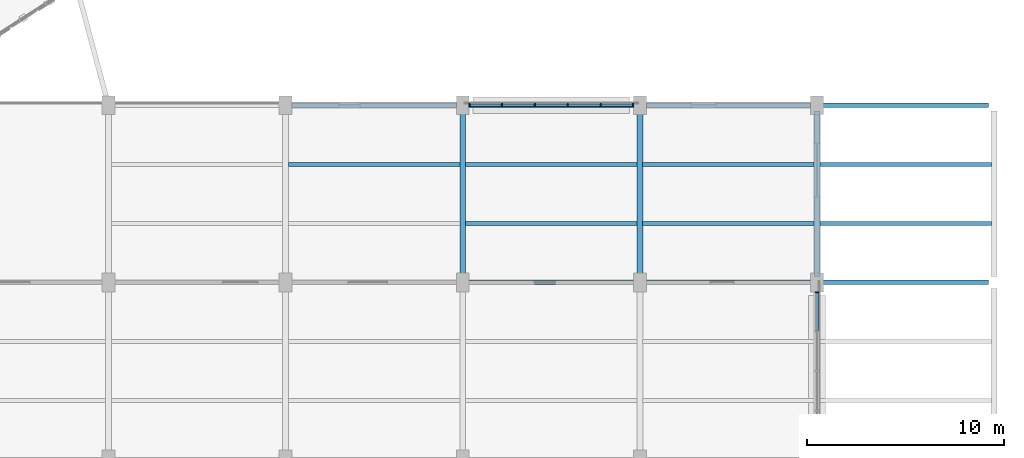
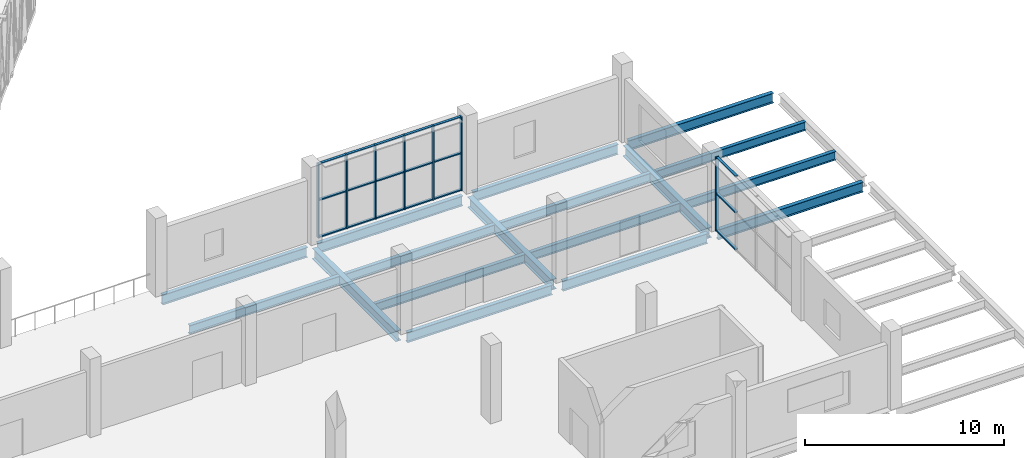
# One storey, part 34 of 152: 25 members, 17 beams, 2 elements without a shape of their own.
"""IFC4 building model written with IfcOpenShell, lengths in metres."""

from ifc_helpers import new_model, si_unit, direction, frame, origin, origin_2d, place, context, subcontext, project, spatial, rectangle, i_section, extrude, material, material_profile, profile_set, type_object, element, aggregate, save


model = new_model("IFC4")

# Units and contexts
model_context = context("Model", 3, precision=1e-05, world=origin(), true_north=direction((0.0, 1.0)))
body_context = subcontext(model_context, "Body", "Model", "MODEL_VIEW")
ifc_project = project(units=[si_unit("LENGTHUNIT", "METRE"), si_unit("AREAUNIT", "SQUARE_METRE"), si_unit("VOLUMEUNIT", "CUBIC_METRE"), si_unit("PLANEANGLEUNIT", "RADIAN"), si_unit("MASSUNIT", "GRAM", prefix="KILO")], contexts=[model_context])

# Site, building, storey
site_placement = place(None, origin())
site = spatial("IfcSite", under=ifc_project, at=site_placement, CompositionType="ELEMENT")
building_placement = place(site_placement, origin())
building = spatial("IfcBuilding", under=site, at=building_placement, Name="Zevraka Park Crest Stadium", CompositionType="ELEMENT")
storey_placement = place(building_placement, frame((0.0, 0.0, 15.0)))
storey = spatial("IfcBuildingStorey", under=building, at=storey_placement, Name="L03", CompositionType="ELEMENT", Elevation=15.0)

# Beams
ifc_material_1 = material(Name="Steel S355", Category="steel")
ifc_material_profile_1 = material_profile(ifc_material_1, i_section(OverallWidth=0.300048828125, OverallDepth=0.64990234375, WebThickness=0.01611328125, FlangeThickness=0.031005859375, at=origin_2d()), Name="HEB 650")
ifc_profile_set_1 = profile_set([ifc_material_profile_1], Name="Steel S355")
beam_type_1 = type_object("IfcBeamType", Name="BG07", PredefinedType="BEAM", material=ifc_profile_set_1)
for number, where, z_axis, x_axis, name in (
    (1, (197.0, 18.300048828125, -0.633056640625), (0.0, 1.0, 0.0), (-1.0, 0.0, 0.0), "Wing Girder BG07 L03-22/CD"),
    (2, (206.0, 18.300048828125, -0.633056640625), (0.0, 1.0, 0.0), (-1.0, 0.0, 0.0), "Wing Girder BG07 L03-23/CD"),
    (3, (215.0, 18.300048828125, -0.633056640625), (0.0, 1.0, 0.0), (-1.0, 0.0, 0.0), "Wing Girder BG07 L03-24/CD"),
):
    element("IfcBeam", number, at=place(storey_placement, frame(where, z_axis=z_axis, x_axis=x_axis)), inside=storey, type_object=beam_type_1, Name=name, PredefinedType="BEAM", context=body_context, shape_type="SweptSolid", body=[
        extrude(i_section(OverallWidth=0.300048828125, OverallDepth=0.64990234375, WebThickness=0.01611328125, FlangeThickness=0.031005859375, at=origin_2d()), origin(), (0.0, 0.0, 1.0), 8.39990234375),
    ])
ifc_material_2 = material(Name="Steel S355", Category="steel")
ifc_material_profile_2 = material_profile(ifc_material_2, i_section(OverallWidth=0.22900390625, OverallDepth=0.612060546875, WebThickness=0.011962890625, FlangeThickness=0.01953125, at=origin_2d()), Name="UKB 610x229x125")
ifc_profile_set_2 = profile_set([ifc_material_profile_2], Name="Steel S355")
beam_type_2 = type_object("IfcBeamType", Name="BG09", PredefinedType="BEAM", material=ifc_profile_set_2)
for number, where, z_axis, x_axis, name in (
    (4, (188.300048828125, 27.0, -0.614013671875), (1.0, 0.0, 0.0), (0.0, 1.0, 0.0), "Wing Girder BG09 L03-2122/D"),
    (5, (197.300048828125, 18.0, -0.614013671875), (1.0, 0.0, 0.0), (0.0, 1.0, 0.0), "Wing Girder BG09 L03-2223/C"),
    (6, (197.300048828125, 27.0, -0.614013671875), (1.0, 0.0, 0.0), (0.0, 1.0, 0.0), "Wing Girder BG09 L03-2223/D"),
    (7, (206.300048828125, 18.0, -0.614013671875), (1.0, 0.0, 0.0), (0.0, 1.0, 0.0), "Wing Girder BG09 L03-2324/C"),
    (8, (206.300048828125, 27.0, -0.614013671875), (1.0, 0.0, 0.0), (0.0, 1.0, 0.0), "Wing Girder BG09 L03-2324/D"),
    (9, (215.300048828125, 18.0, -0.614013671875), (1.0, 0.0, 0.0), (0.0, 1.0, 0.0), "Wing Girder BG09 L03-2425/C"),
    (10, (215.300048828125, 27.0, -0.614013671875), (1.0, 0.0, 0.0), (0.0, 1.0, 0.0), "Wing Girder BG09 L03-2425/D"),
):
    element("IfcBeam", number, at=place(storey_placement, frame(where, z_axis=z_axis, x_axis=x_axis)), inside=storey, type_object=beam_type_2, Name=name, PredefinedType="BEAM", context=body_context, shape_type="SweptSolid", body=[
        extrude(i_section(OverallWidth=0.22900390625, OverallDepth=0.612060546875, WebThickness=0.011962890625, FlangeThickness=0.01953125, at=origin_2d()), origin(), (0.0, 0.0, 1.0), 8.39990234375),
    ])

# Curtain wall, member
ifc_material_3 = material(Name="Anodised architectural aluminium and laminated safety glass", Category="aluminium")
curtain_wall_type = type_object("IfcCurtainWallType", Name="CW30", PredefinedType="NOTDEFINED", material=ifc_material_3)
curtain_wall_1_placement = place(storey_placement, origin())
curtain_wall_1 = element("IfcCurtainWall", 11, at=curtain_wall_1_placement, inside=storey, type_object=curtain_wall_type, Name="Wing Curtain Wall CW30 L03-SE-E3-2", PredefinedType="NOTDEFINED")
ifc_material_4 = material(Name="Anodised architectural aluminium", Category="aluminium")
ifc_material_profile_3 = material_profile(ifc_material_4, rectangle(XDim=0.199951171875, YDim=0.070068359375, at=origin_2d()), Name="ALU MULLION 200x70")
ifc_profile_set_3 = profile_set([ifc_material_profile_3], Name="Anodised architectural aluminium")
member_type_1 = type_object("IfcMemberType", Name="CM03", PredefinedType="MULLION", material=ifc_profile_set_3)
member_1_placement = place(storey_placement, frame((215.0, 17.5, 0.0), z_axis=(0.0, 0.0, 1.0), x_axis=(1.0, 0.0, 0.0)))
member_1 = element("IfcMember", 12, at=member_1_placement, type_object=member_type_1, Name="CW30 mullion 1", PredefinedType="MULLION", context=body_context, shape_type="SweptSolid", body=[
    extrude(rectangle(XDim=0.199951171875, YDim=0.070068359375, at=origin_2d()), origin(), (0.0, 0.0, 1.0), 4.5400390625),
])

# Curtain wall, members
curtain_wall_2_placement = place(storey_placement, origin())
curtain_wall_2 = element("IfcCurtainWall", 13, at=curtain_wall_2_placement, inside=storey, type_object=curtain_wall_type, Name="Wing Curtain Wall CW30 L03-SE-N3-2", PredefinedType="NOTDEFINED")
member_2_placement = place(storey_placement, frame((197.35009765625, 27.0, 0.0), z_axis=(0.0, 0.0, 1.0), x_axis=(0.0, 1.0, 0.0)))
member_2 = element("IfcMember", 14, at=member_2_placement, type_object=member_type_1, Name="CW30 mullion 1", PredefinedType="MULLION", context=body_context, shape_type="SweptSolid", body=[
    extrude(rectangle(XDim=0.199951171875, YDim=0.070068359375, at=origin_2d()), origin(), (0.0, 0.0, 1.0), 4.5400390625),
])
member_3_placement = place(storey_placement, frame((198.989013671875, 27.0, 0.0), z_axis=(0.0, 0.0, 1.0), x_axis=(0.0, 1.0, 0.0)))
member_3 = element("IfcMember", 15, at=member_3_placement, type_object=member_type_1, Name="CW30 mullion 2", PredefinedType="MULLION", context=body_context, shape_type="SweptSolid", body=[
    extrude(rectangle(XDim=0.199951171875, YDim=0.070068359375, at=origin_2d()), origin(), (0.0, 0.0, 1.0), 4.5400390625),
])
member_4_placement = place(storey_placement, frame((200.6630859375, 27.0, 0.0), z_axis=(0.0, 0.0, 1.0), x_axis=(0.0, 1.0, 0.0)))
member_4 = element("IfcMember", 16, at=member_4_placement, type_object=member_type_1, Name="CW30 mullion 3", PredefinedType="MULLION", context=body_context, shape_type="SweptSolid", body=[
    extrude(rectangle(XDim=0.199951171875, YDim=0.070068359375, at=origin_2d()), origin(), (0.0, 0.0, 1.0), 4.5400390625),
])
member_5_placement = place(storey_placement, frame((202.3369140625, 27.0, 0.0), z_axis=(0.0, 0.0, 1.0), x_axis=(0.0, 1.0, 0.0)))
member_5 = element("IfcMember", 17, at=member_5_placement, type_object=member_type_1, Name="CW30 mullion 4", PredefinedType="MULLION", context=body_context, shape_type="SweptSolid", body=[
    extrude(rectangle(XDim=0.199951171875, YDim=0.070068359375, at=origin_2d()), origin(), (0.0, 0.0, 1.0), 4.5400390625),
])
member_6_placement = place(storey_placement, frame((204.010986328125, 27.0, 0.0), z_axis=(0.0, 0.0, 1.0), x_axis=(0.0, 1.0, 0.0)))
member_6 = element("IfcMember", 18, at=member_6_placement, type_object=member_type_1, Name="CW30 mullion 5", PredefinedType="MULLION", context=body_context, shape_type="SweptSolid", body=[
    extrude(rectangle(XDim=0.199951171875, YDim=0.070068359375, at=origin_2d()), origin(), (0.0, 0.0, 1.0), 4.5400390625),
])
member_7_placement = place(storey_placement, frame((205.64990234375, 27.0, 0.0), z_axis=(0.0, 0.0, 1.0), x_axis=(0.0, 1.0, 0.0)))
member_7 = element("IfcMember", 19, at=member_7_placement, type_object=member_type_1, Name="CW30 mullion 6", PredefinedType="MULLION", context=body_context, shape_type="SweptSolid", body=[
    extrude(rectangle(XDim=0.199951171875, YDim=0.070068359375, at=origin_2d()), origin(), (0.0, 0.0, 1.0), 4.5400390625),
])

# Member
ifc_material_5 = material(Name="Anodised architectural aluminium", Category="aluminium")
ifc_material_profile_4 = material_profile(ifc_material_5, rectangle(XDim=0.14990234375, YDim=0.070068359375, at=origin_2d()), Name="ALU TRANSOM 150x70")
ifc_profile_set_4 = profile_set([ifc_material_profile_4], Name="Anodised architectural aluminium")
member_type_2 = type_object("IfcMemberType", Name="CT03", PredefinedType="USERDEFINED", material=ifc_profile_set_4)
member_8_placement = place(storey_placement, frame((215.0, 17.465087890625, 0.034912109375), z_axis=(0.0, -1.0, 0.0), x_axis=(1.0, 0.0, 0.0)))
member_8 = element("IfcMember", 20, at=member_8_placement, type_object=member_type_2, Name="CW30 transom 1.1", ObjectType="TRANSOM", PredefinedType="USERDEFINED", context=body_context, shape_type="SweptSolid", body=[
    extrude(rectangle(XDim=0.14990234375, YDim=0.070068359375, at=origin_2d()), origin(), (0.0, 0.0, 1.0), 1.91259765625),
])

member_9_placement = place(storey_placement, frame((215.0, 17.465087890625, 2.300048828125), z_axis=(0.0, -1.0, 0.0), x_axis=(1.0, 0.0, 0.0)))
member_9 = element("IfcMember", 21, at=member_9_placement, type_object=member_type_2, Name="CW30 transom 1.2", ObjectType="TRANSOM", PredefinedType="USERDEFINED", context=body_context, shape_type="SweptSolid", body=[
    extrude(rectangle(XDim=0.14990234375, YDim=0.070068359375, at=origin_2d()), origin(), (0.0, 0.0, 1.0), 1.91259765625),
])

member_10_placement = place(storey_placement, frame((215.0, 17.465087890625, 4.5048828125), z_axis=(0.0, -1.0, 0.0), x_axis=(1.0, 0.0, 0.0)))
member_10 = element("IfcMember", 22, at=member_10_placement, type_object=member_type_2, Name="CW30 transom 1.3", ObjectType="TRANSOM", PredefinedType="USERDEFINED", context=body_context, shape_type="SweptSolid", body=[
    extrude(rectangle(XDim=0.14990234375, YDim=0.070068359375, at=origin_2d()), origin(), (0.0, 0.0, 1.0), 1.91259765625),
])

aggregate(curtain_wall_1, [member_1, member_8, member_9, member_10])

member_11_placement = place(storey_placement, frame((197.385009765625, 27.0, 0.034912109375), z_axis=(1.0, 0.0, 0.0), x_axis=(0.0, 1.0, 0.0)))
member_11 = element("IfcMember", 23, at=member_11_placement, type_object=member_type_2, Name="CW30 transom 1.1", ObjectType="TRANSOM", PredefinedType="USERDEFINED", context=body_context, shape_type="SweptSolid", body=[
    extrude(rectangle(XDim=0.14990234375, YDim=0.070068359375, at=origin_2d()), origin(), (0.0, 0.0, 1.0), 1.569091796875),
])

member_12_placement = place(storey_placement, frame((197.385009765625, 27.0, 2.300048828125), z_axis=(1.0, 0.0, 0.0), x_axis=(0.0, 1.0, 0.0)))
member_12 = element("IfcMember", 24, at=member_12_placement, type_object=member_type_2, Name="CW30 transom 1.2", ObjectType="TRANSOM", PredefinedType="USERDEFINED", context=body_context, shape_type="SweptSolid", body=[
    extrude(rectangle(XDim=0.14990234375, YDim=0.070068359375, at=origin_2d()), origin(), (0.0, 0.0, 1.0), 1.569091796875),
])

member_13_placement = place(storey_placement, frame((197.385009765625, 27.0, 4.5048828125), z_axis=(1.0, 0.0, 0.0), x_axis=(0.0, 1.0, 0.0)))
member_13 = element("IfcMember", 25, at=member_13_placement, type_object=member_type_2, Name="CW30 transom 1.3", ObjectType="TRANSOM", PredefinedType="USERDEFINED", context=body_context, shape_type="SweptSolid", body=[
    extrude(rectangle(XDim=0.14990234375, YDim=0.070068359375, at=origin_2d()), origin(), (0.0, 0.0, 1.0), 1.569091796875),
])

member_14_placement = place(storey_placement, frame((199.02392578125, 27.0, 0.034912109375), z_axis=(1.0, 0.0, 0.0), x_axis=(0.0, 1.0, 0.0)))
member_14 = element("IfcMember", 26, at=member_14_placement, type_object=member_type_2, Name="CW30 transom 2.1", ObjectType="TRANSOM", PredefinedType="USERDEFINED", context=body_context, shape_type="SweptSolid", body=[
    extrude(rectangle(XDim=0.14990234375, YDim=0.070068359375, at=origin_2d()), origin(), (0.0, 0.0, 1.0), 1.60400390625),
])

member_15_placement = place(storey_placement, frame((199.02392578125, 27.0, 2.300048828125), z_axis=(1.0, 0.0, 0.0), x_axis=(0.0, 1.0, 0.0)))
member_15 = element("IfcMember", 27, at=member_15_placement, type_object=member_type_2, Name="CW30 transom 2.2", ObjectType="TRANSOM", PredefinedType="USERDEFINED", context=body_context, shape_type="SweptSolid", body=[
    extrude(rectangle(XDim=0.14990234375, YDim=0.070068359375, at=origin_2d()), origin(), (0.0, 0.0, 1.0), 1.60400390625),
])

member_16_placement = place(storey_placement, frame((199.02392578125, 27.0, 4.5048828125), z_axis=(1.0, 0.0, 0.0), x_axis=(0.0, 1.0, 0.0)))
member_16 = element("IfcMember", 28, at=member_16_placement, type_object=member_type_2, Name="CW30 transom 2.3", ObjectType="TRANSOM", PredefinedType="USERDEFINED", context=body_context, shape_type="SweptSolid", body=[
    extrude(rectangle(XDim=0.14990234375, YDim=0.070068359375, at=origin_2d()), origin(), (0.0, 0.0, 1.0), 1.60400390625),
])

member_17_placement = place(storey_placement, frame((200.697998046875, 27.0, 0.034912109375), z_axis=(1.0, 0.0, 0.0), x_axis=(0.0, 1.0, 0.0)))
member_17 = element("IfcMember", 29, at=member_17_placement, type_object=member_type_2, Name="CW30 transom 3.1", ObjectType="TRANSOM", PredefinedType="USERDEFINED", context=body_context, shape_type="SweptSolid", body=[
    extrude(rectangle(XDim=0.14990234375, YDim=0.070068359375, at=origin_2d()), origin(), (0.0, 0.0, 1.0), 1.60400390625),
])

member_18_placement = place(storey_placement, frame((200.697998046875, 27.0, 2.300048828125), z_axis=(1.0, 0.0, 0.0), x_axis=(0.0, 1.0, 0.0)))
member_18 = element("IfcMember", 30, at=member_18_placement, type_object=member_type_2, Name="CW30 transom 3.2", ObjectType="TRANSOM", PredefinedType="USERDEFINED", context=body_context, shape_type="SweptSolid", body=[
    extrude(rectangle(XDim=0.14990234375, YDim=0.070068359375, at=origin_2d()), origin(), (0.0, 0.0, 1.0), 1.60400390625),
])

member_19_placement = place(storey_placement, frame((200.697998046875, 27.0, 4.5048828125), z_axis=(1.0, 0.0, 0.0), x_axis=(0.0, 1.0, 0.0)))
member_19 = element("IfcMember", 31, at=member_19_placement, type_object=member_type_2, Name="CW30 transom 3.3", ObjectType="TRANSOM", PredefinedType="USERDEFINED", context=body_context, shape_type="SweptSolid", body=[
    extrude(rectangle(XDim=0.14990234375, YDim=0.070068359375, at=origin_2d()), origin(), (0.0, 0.0, 1.0), 1.60400390625),
])

member_20_placement = place(storey_placement, frame((202.3720703125, 27.0, 0.034912109375), z_axis=(1.0, 0.0, 0.0), x_axis=(0.0, 1.0, 0.0)))
member_20 = element("IfcMember", 32, at=member_20_placement, type_object=member_type_2, Name="CW30 transom 4.1", ObjectType="TRANSOM", PredefinedType="USERDEFINED", context=body_context, shape_type="SweptSolid", body=[
    extrude(rectangle(XDim=0.14990234375, YDim=0.070068359375, at=origin_2d()), origin(), (0.0, 0.0, 1.0), 1.60400390625),
])

member_21_placement = place(storey_placement, frame((202.3720703125, 27.0, 2.300048828125), z_axis=(1.0, 0.0, 0.0), x_axis=(0.0, 1.0, 0.0)))
member_21 = element("IfcMember", 33, at=member_21_placement, type_object=member_type_2, Name="CW30 transom 4.2", ObjectType="TRANSOM", PredefinedType="USERDEFINED", context=body_context, shape_type="SweptSolid", body=[
    extrude(rectangle(XDim=0.14990234375, YDim=0.070068359375, at=origin_2d()), origin(), (0.0, 0.0, 1.0), 1.60400390625),
])

member_22_placement = place(storey_placement, frame((202.3720703125, 27.0, 4.5048828125), z_axis=(1.0, 0.0, 0.0), x_axis=(0.0, 1.0, 0.0)))
member_22 = element("IfcMember", 34, at=member_22_placement, type_object=member_type_2, Name="CW30 transom 4.3", ObjectType="TRANSOM", PredefinedType="USERDEFINED", context=body_context, shape_type="SweptSolid", body=[
    extrude(rectangle(XDim=0.14990234375, YDim=0.070068359375, at=origin_2d()), origin(), (0.0, 0.0, 1.0), 1.60400390625),
])

member_23_placement = place(storey_placement, frame((204.0458984375, 27.0, 0.034912109375), z_axis=(1.0, 0.0, 0.0), x_axis=(0.0, 1.0, 0.0)))
member_23 = element("IfcMember", 35, at=member_23_placement, type_object=member_type_2, Name="CW30 transom 5.1", ObjectType="TRANSOM", PredefinedType="USERDEFINED", context=body_context, shape_type="SweptSolid", body=[
    extrude(rectangle(XDim=0.14990234375, YDim=0.070068359375, at=origin_2d()), origin(), (0.0, 0.0, 1.0), 1.569091796875),
])

member_24_placement = place(storey_placement, frame((204.0458984375, 27.0, 2.300048828125), z_axis=(1.0, 0.0, 0.0), x_axis=(0.0, 1.0, 0.0)))
member_24 = element("IfcMember", 36, at=member_24_placement, type_object=member_type_2, Name="CW30 transom 5.2", ObjectType="TRANSOM", PredefinedType="USERDEFINED", context=body_context, shape_type="SweptSolid", body=[
    extrude(rectangle(XDim=0.14990234375, YDim=0.070068359375, at=origin_2d()), origin(), (0.0, 0.0, 1.0), 1.569091796875),
])

member_25_placement = place(storey_placement, frame((204.0458984375, 27.0, 4.5048828125), z_axis=(1.0, 0.0, 0.0), x_axis=(0.0, 1.0, 0.0)))
member_25 = element("IfcMember", 37, at=member_25_placement, type_object=member_type_2, Name="CW30 transom 5.3", ObjectType="TRANSOM", PredefinedType="USERDEFINED", context=body_context, shape_type="SweptSolid", body=[
    extrude(rectangle(XDim=0.14990234375, YDim=0.070068359375, at=origin_2d()), origin(), (0.0, 0.0, 1.0), 1.569091796875),
])

aggregate(curtain_wall_2, [member_2, member_3, member_4, member_5, member_6, member_7, member_11, member_12, member_13, member_14, member_15, member_16, member_17, member_18, member_19, member_20, member_21, member_22, member_23, member_24, member_25])

# Beams
ifc_material_6 = material(Name="Steel S355", Category="steel")
ifc_material_profile_5 = material_profile(ifc_material_6, i_section(OverallWidth=0.209228515625, OverallDepth=0.533203125, WebThickness=0.010009765625, FlangeThickness=0.015625, at=origin_2d()), Name="UKB 533x210x92")
ifc_profile_set_5 = profile_set([ifc_material_profile_5], Name="Steel S355")
beam_type_3 = type_object("IfcBeamType", Name="SJ05", PredefinedType="JOIST", material=ifc_profile_set_5)
for number, where, z_axis, x_axis, name in (
    (38, (188.14501953125, 24.0, -0.57666015625), (1.0, 0.0, 0.0), (0.0, 1.0, 0.0), "Wing Joist SJ05 L03-21/C-2"),
    (39, (197.14501953125, 21.0, -0.57666015625), (1.0, 0.0, 0.0), (0.0, 1.0, 0.0), "Wing Joist SJ05 L03-22/C-1"),
    (40, (197.14501953125, 24.0, -0.57666015625), (1.0, 0.0, 0.0), (0.0, 1.0, 0.0), "Wing Joist SJ05 L03-22/C-2"),
    (41, (206.14501953125, 21.0, -0.57666015625), (1.0, 0.0, 0.0), (0.0, 1.0, 0.0), "Wing Joist SJ05 L03-23/C-1"),
    (42, (206.14501953125, 24.0, -0.57666015625), (1.0, 0.0, 0.0), (0.0, 1.0, 0.0), "Wing Joist SJ05 L03-23/C-2"),
    (43, (215.14501953125, 21.0, -0.57666015625), (1.0, 0.0, 0.0), (0.0, 1.0, 0.0), "Wing Joist SJ05 L03-24/C-1"),
    (44, (215.14501953125, 24.0, -0.57666015625), (1.0, 0.0, 0.0), (0.0, 1.0, 0.0), "Wing Joist SJ05 L03-24/C-2"),
):
    element("IfcBeam", number, at=place(storey_placement, frame(where, z_axis=z_axis, x_axis=x_axis)), inside=storey, type_object=beam_type_3, Name=name, PredefinedType="JOIST", context=body_context, shape_type="SweptSolid", body=[
        extrude(i_section(OverallWidth=0.209228515625, OverallDepth=0.533203125, WebThickness=0.010009765625, FlangeThickness=0.015625, at=origin_2d()), origin(), (0.0, 0.0, 1.0), 8.7099609375),
    ])

save(model, "model.ifc")
